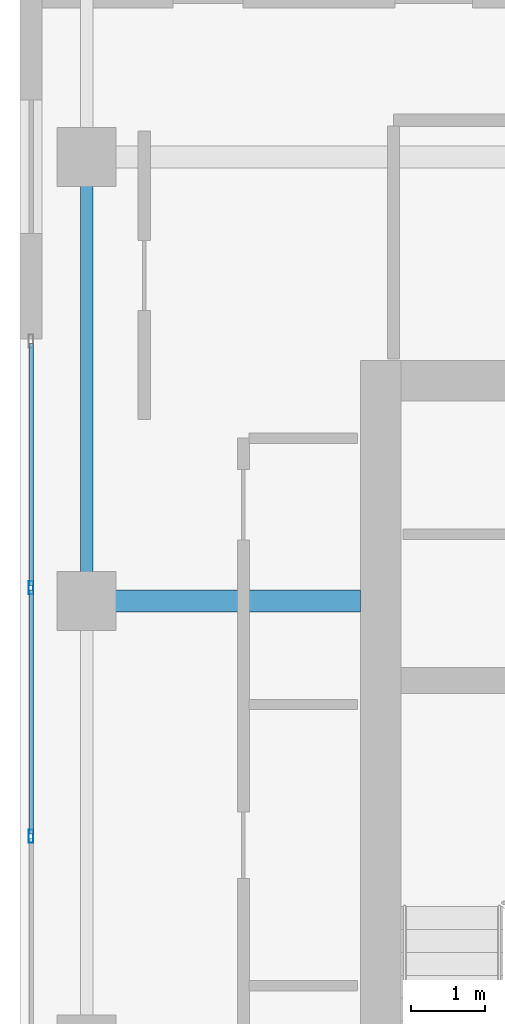
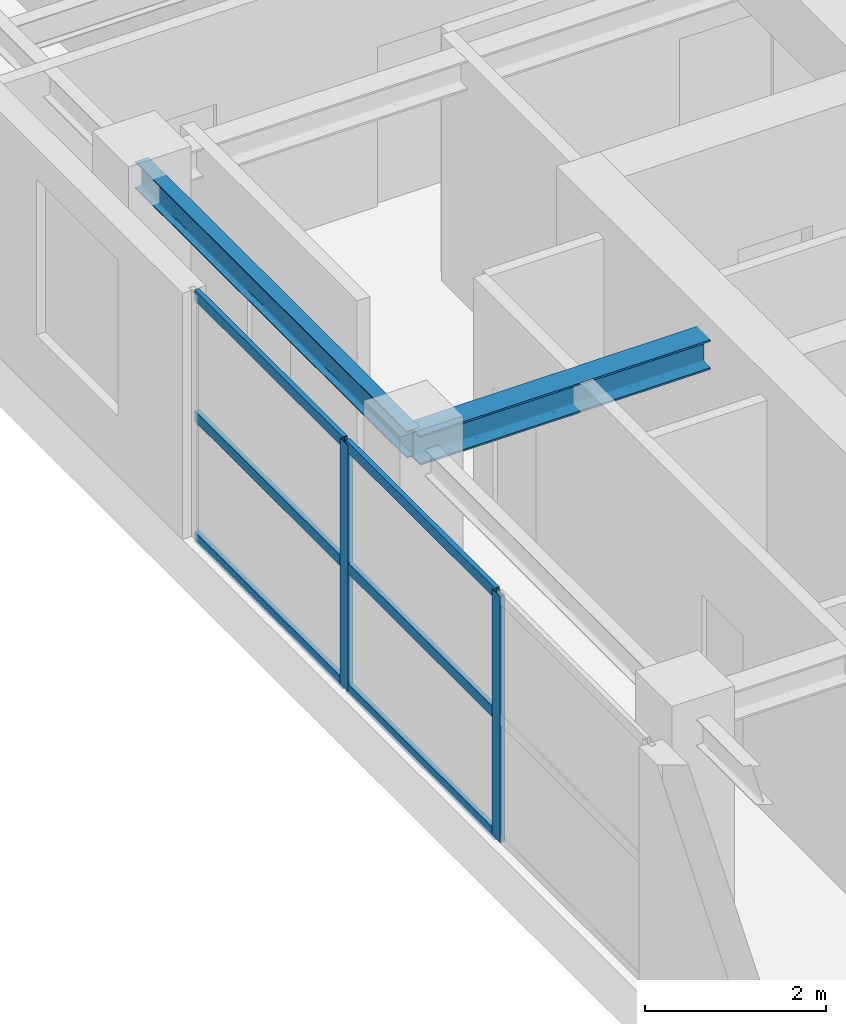
# One storey, part 6 of 21: 8 members, 2 beams, 1 element without a shape of its own.
"""IFC4 building model written with IfcOpenShell, lengths in metres."""

from ifc_helpers import new_model, si_unit, direction, frame, origin, origin_2d, place, context, subcontext, project, spatial, hollow_rectangle, i_section, extrude, source, transform, mapped, material, layer, layer_set, material_profile, profile_set, type_object, element, aggregate, save


model = new_model("IFC4")

# Units and contexts
model_context = context("Model", 3, precision=1e-05, world=origin(), true_north=direction((0.0, 1.0)))
body_context = subcontext(model_context, "Body", "Model", "MODEL_VIEW")
ifc_project = project(units=[si_unit("LENGTHUNIT", "METRE"), si_unit("AREAUNIT", "SQUARE_METRE"), si_unit("VOLUMEUNIT", "CUBIC_METRE"), si_unit("PLANEANGLEUNIT", "RADIAN"), si_unit("MASSUNIT", "GRAM", prefix="KILO")], contexts=[model_context])

# Site, building, storey
site_placement = place(None, origin())
site = spatial("IfcSite", under=ifc_project, at=site_placement, CompositionType="ELEMENT")
building_placement = place(site_placement, origin())
building = spatial("IfcBuilding", under=site, at=building_placement, Name="Khoralis Quay Care Tower", CompositionType="ELEMENT")
storey_placement = place(building_placement, frame((0.0, 0.0, 267.300048828125)))
storey = spatial("IfcBuildingStorey", under=building, at=storey_placement, Name="L70", CompositionType="ELEMENT", Elevation=267.300048828125)

# Beams
ifc_material_1 = material(Name="Steel S355", Category="steel")
ifc_material_profile_1 = material_profile(ifc_material_1, i_section(OverallWidth=0.169921875, OverallDepth=0.360107421875, WebThickness=0.008056640625, FlangeThickness=0.0126953125, FilletRadius=0.01806640625, at=origin_2d()), Name="Steel S355")
ifc_profile_set_1 = profile_set([ifc_material_profile_1], Name="Steel S355")
beam_type_1 = type_object("IfcBeamType", Name="BM-IPE360", PredefinedType="SPANDREL", material=ifc_profile_set_1)
shared_shape_1 = source(origin(), body_context, "Body", "SweptSolid", [
    extrude(i_section(OverallWidth=0.169921875, OverallDepth=0.360107421875, WebThickness=0.008056640625, FlangeThickness=0.0126953125, FilletRadius=0.01806640625, at=origin_2d()), origin(), (0.0, 0.0, 1.0), 6.0),
])
beam_1_placement = place(storey_placement, frame((3.89990234375, 24.0, 3.139892578125), z_axis=(0.0, 1.0, 0.0), x_axis=(-1.0, 0.0, 0.0)))
element("IfcBeam", 1, at=beam_1_placement, inside=storey, type_object=beam_type_1, Name="BM-TSP-L70-11", PredefinedType="SPANDREL", context=body_context, shape_type="MappedRepresentation", body=[
    mapped(shared_shape_1, transform((0.0, 0.0, 0.0), scale=1.0)),
])
ifc_material_profile_2 = material_profile(ifc_material_1, i_section(OverallWidth=0.300048828125, OverallDepth=0.39990234375, WebThickness=0.013427734375, FlangeThickness=0.02392578125, FilletRadius=0.027099609375, at=origin_2d()), Name="Steel S355")
ifc_profile_set_2 = profile_set([ifc_material_profile_2], Name="Steel S355")
beam_type_2 = type_object("IfcBeamType", Name="BM-HEB400", PredefinedType="BEAM", material=ifc_profile_set_2)
shared_shape_2 = source(origin(), body_context, "Body", "SweptSolid", [
    extrude(i_section(OverallWidth=0.300048828125, OverallDepth=0.39990234375, WebThickness=0.013427734375, FlangeThickness=0.02392578125, FilletRadius=0.027099609375, at=origin_2d()), origin(), (0.0, 0.0, 1.0), 3.7021484375),
])
beam_2_placement = place(storey_placement, frame((3.89990234375, 24.0, 3.119873046875), z_axis=(1.0, 0.0, 0.0), x_axis=(0.0, 1.0, 0.0)))
element("IfcBeam", 2, at=beam_2_placement, inside=storey, type_object=beam_type_2, Name="BM-TGXW-L70-240", PredefinedType="BEAM", context=body_context, shape_type="MappedRepresentation", body=[
    mapped(shared_shape_2, transform((0.0, 0.0, 0.0), scale=1.0)),
])

# Curtain wall, members
ifc_material_2 = material(Name="Pale anodised aluminium", Category="aluminium")
ifc_layer = layer(ifc_material_2, 0.159912109375)
ifc_layer_set = layer_set([ifc_layer], Name="Pale anodised aluminium")
curtain_wall_type = type_object("IfcCurtainWallType", Name="CW-SYS-Z3", PredefinedType="NOTDEFINED", material=ifc_layer_set)
curtain_wall_placement = place(storey_placement, origin())
curtain_wall = element("IfcCurtainWall", 3, at=curtain_wall_placement, inside=storey, type_object=curtain_wall_type, Name="L70 Unitised Curtain Wall CW-L70-P1-E15", PredefinedType="NOTDEFINED")
ifc_material_profile_3 = material_profile(ifc_material_2, hollow_rectangle(XDim=0.06494140625, YDim=0.179931640625, WallThickness=0.00390625, at=origin_2d()), Name="Pale anodised aluminium")
ifc_profile_set_3 = profile_set([ifc_material_profile_3], Name="Pale anodised aluminium")
member_type_1 = type_object("IfcMemberType", Name="CW-MUL-180", PredefinedType="MULLION", material=ifc_profile_set_3)
shared_shape_3 = source(origin(), body_context, "Body", "SweptSolid", [
    extrude(hollow_rectangle(XDim=0.06494140625, YDim=0.179931640625, WallThickness=0.00390625, at=origin_2d()), origin(), (0.0, 0.0, 1.0), 3.320068359375),
])
member_1_placement = place(storey_placement, frame((3.14990234375, 24.179931640625, 0.0), z_axis=(0.0, 0.0, 1.0), x_axis=(1.0, 0.0, 0.0)))
member_1 = element("IfcMember", 4, at=member_1_placement, type_object=member_type_1, Name="CW3 mullion 2", PredefinedType="MULLION", context=body_context, shape_type="MappedRepresentation", body=[
    mapped(shared_shape_3, transform((0.0, 0.0, 0.0), scale=1.0)),
])
member_2_placement = place(storey_placement, frame((3.14990234375, 20.820068359375, 0.0), z_axis=(0.0, 0.0, 1.0), x_axis=(1.0, 0.0, 0.0)))
member_2 = element("IfcMember", 5, at=member_2_placement, type_object=member_type_1, Name="CW3 mullion 3", PredefinedType="MULLION", context=body_context, shape_type="MappedRepresentation", body=[
    mapped(shared_shape_3, transform((0.0, 0.0, 0.0), scale=1.0)),
])
ifc_material_profile_4 = material_profile(ifc_material_2, hollow_rectangle(XDim=0.06005859375, YDim=0.139892578125, WallThickness=0.00390625, at=origin_2d()), Name="Pale anodised aluminium")
ifc_profile_set_4 = profile_set([ifc_material_profile_4], Name="Pale anodised aluminium")
member_type_2 = type_object("IfcMemberType", Name="CW-TRN-140", PredefinedType="USERDEFINED", material=ifc_profile_set_4)
shared_shape_4 = source(origin(), body_context, "Body", "SweptSolid", [
    extrude(hollow_rectangle(XDim=0.06005859375, YDim=0.139892578125, WallThickness=0.00390625, at=origin_2d()), origin(), (0.0, 0.0, 1.0), 3.27001953125),
])
member_3_placement = place(storey_placement, frame((3.14990234375, 27.47998046875, 0.030029296875), z_axis=(0.0, -1.0, 0.0), x_axis=(1.0, 0.0, 0.0)))
member_3 = element("IfcMember", 6, at=member_3_placement, type_object=member_type_2, Name="CW3 transom 1.1", ObjectType="TRANSOM", PredefinedType="USERDEFINED", context=body_context, shape_type="MappedRepresentation", body=[
    mapped(shared_shape_4, transform((0.0, 0.0, 0.0), scale=1.0)),
])
member_4_placement = place(storey_placement, frame((3.14990234375, 27.47998046875, 1.659912109375), z_axis=(0.0, -1.0, 0.0), x_axis=(1.0, 0.0, 0.0)))
member_4 = element("IfcMember", 7, at=member_4_placement, type_object=member_type_2, Name="CW3 transom 1.2", ObjectType="TRANSOM", PredefinedType="USERDEFINED", context=body_context, shape_type="MappedRepresentation", body=[
    mapped(shared_shape_4, transform((0.0, 0.0, 0.0), scale=1.0)),
])
member_5_placement = place(storey_placement, frame((3.14990234375, 27.47998046875, 3.2900390625), z_axis=(0.0, -1.0, 0.0), x_axis=(1.0, 0.0, 0.0)))
member_5 = element("IfcMember", 8, at=member_5_placement, type_object=member_type_2, Name="CW3 transom 1.3", ObjectType="TRANSOM", PredefinedType="USERDEFINED", context=body_context, shape_type="MappedRepresentation", body=[
    mapped(shared_shape_4, transform((0.0, 0.0, 0.0), scale=1.0)),
])
shared_shape_5 = source(origin(), body_context, "Body", "SweptSolid", [
    extrude(hollow_rectangle(XDim=0.06005859375, YDim=0.139892578125, WallThickness=0.00390625, at=origin_2d()), origin(), (0.0, 0.0, 1.0), 3.2998046875),
])
member_6_placement = place(storey_placement, frame((3.14990234375, 24.14990234375, 0.030029296875), z_axis=(0.0, -1.0, 0.0), x_axis=(1.0, 0.0, 0.0)))
member_6 = element("IfcMember", 9, at=member_6_placement, type_object=member_type_2, Name="CW3 transom 2.1", ObjectType="TRANSOM", PredefinedType="USERDEFINED", context=body_context, shape_type="MappedRepresentation", body=[
    mapped(shared_shape_5, transform((0.0, 0.0, 0.0), scale=1.0)),
])
member_7_placement = place(storey_placement, frame((3.14990234375, 24.14990234375, 1.659912109375), z_axis=(0.0, -1.0, 0.0), x_axis=(1.0, 0.0, 0.0)))
member_7 = element("IfcMember", 10, at=member_7_placement, type_object=member_type_2, Name="CW3 transom 2.2", ObjectType="TRANSOM", PredefinedType="USERDEFINED", context=body_context, shape_type="MappedRepresentation", body=[
    mapped(shared_shape_5, transform((0.0, 0.0, 0.0), scale=1.0)),
])
member_8_placement = place(storey_placement, frame((3.14990234375, 24.14990234375, 3.2900390625), z_axis=(0.0, -1.0, 0.0), x_axis=(1.0, 0.0, 0.0)))
member_8 = element("IfcMember", 11, at=member_8_placement, type_object=member_type_2, Name="CW3 transom 2.3", ObjectType="TRANSOM", PredefinedType="USERDEFINED", context=body_context, shape_type="MappedRepresentation", body=[
    mapped(shared_shape_5, transform((0.0, 0.0, 0.0), scale=1.0)),
])
aggregate(curtain_wall, [member_1, member_2, member_3, member_4, member_5, member_6, member_7, member_8])

save(model, "model.ifc")
